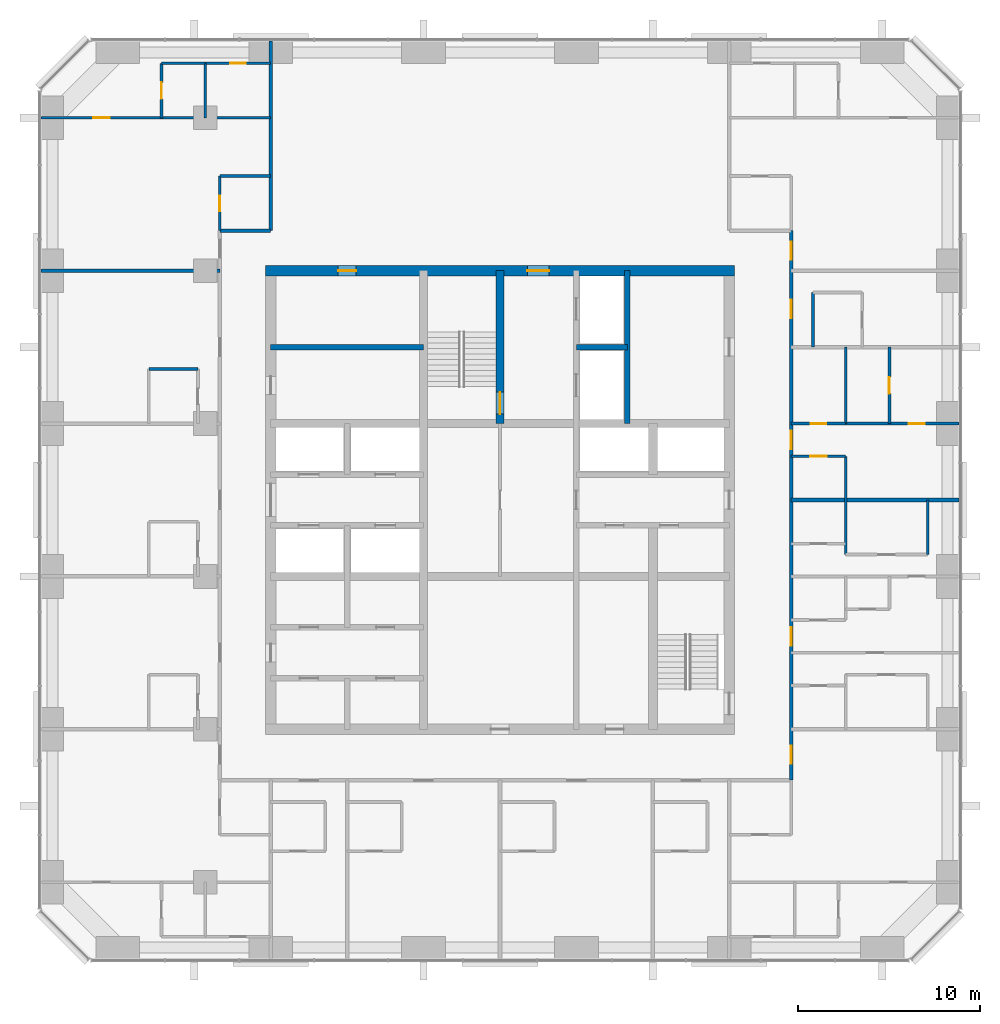
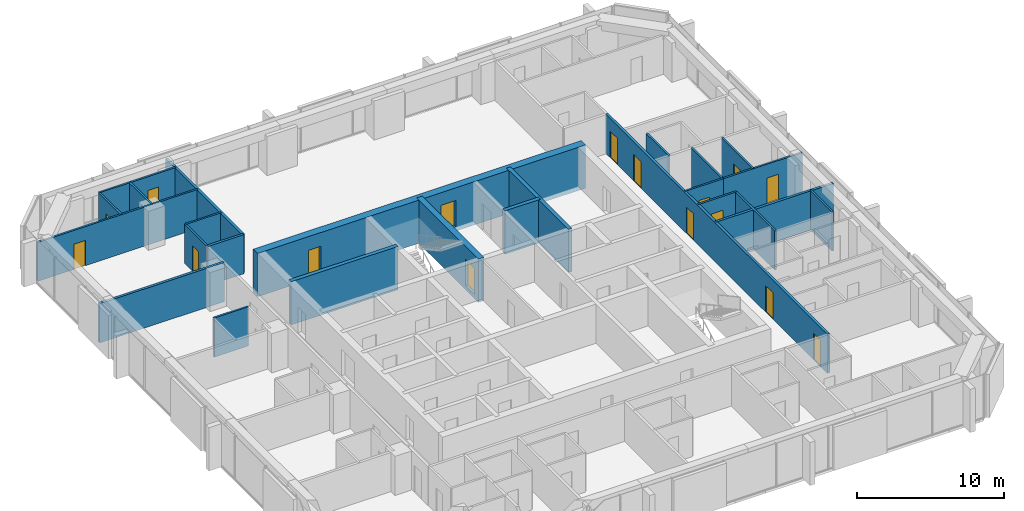
# One storey, part 11 of 13: 26 walls, 16 doors, 16 openings.
"""IFC4 building model written with IfcOpenShell, lengths in metres."""

from ifc_helpers import new_model, si_unit, direction, frame, frame_2d, origin, place, context, subcontext, project, spatial, rectangle, extrude, material, layer, layer_set, type_object, element, fill, save


model = new_model("IFC4")

# Units and contexts
model_context = context("Model", 3, precision=1e-05, world=origin(), true_north=direction((0.0, 1.0)))
body_context = subcontext(model_context, "Body", "Model", "MODEL_VIEW")
ifc_project = project(units=[si_unit("LENGTHUNIT", "METRE"), si_unit("AREAUNIT", "SQUARE_METRE"), si_unit("VOLUMEUNIT", "CUBIC_METRE"), si_unit("PLANEANGLEUNIT", "RADIAN"), si_unit("MASSUNIT", "GRAM", prefix="KILO")], contexts=[model_context])

# Site, building, storey
site_placement = place(None, origin())
site = spatial("IfcSite", under=ifc_project, at=site_placement, CompositionType="ELEMENT")
building_placement = place(site_placement, origin())
building = spatial("IfcBuilding", under=site, at=building_placement, Name="Dunama Terrace Hotel", CompositionType="ELEMENT")
storey_placement = place(building_placement, frame((0.0, 0.0, 191.39990234375)))
storey = spatial("IfcBuildingStorey", under=building, at=storey_placement, Name="L49", CompositionType="ELEMENT", Elevation=191.39990234375)

# Wall, opening, door
ifc_material_1 = material(Name="Gypsum board partition", Category="masonry")
ifc_layer_1 = layer(ifc_material_1, 0.14990234375)
ifc_layer_set_1 = layer_set([ifc_layer_1], Name="Bathroom partition 150")
wall_type_1 = type_object("IfcWallType", Name="Bathroom partition 150", PredefinedType="PARTITIONING", material=ifc_layer_set_1)
wall_1_placement = place(storey_placement, frame((14.0, 44.199951171875, 0.0), z_axis=(0.0, 0.0, 1.0), x_axis=(0.0, 1.0, 0.0)))
wall_1 = element("IfcWall", 1, at=wall_1_placement, inside=storey, type_object=wall_type_1, Name="Bathroom partition 150 L49", PredefinedType="PARTITIONING", context=body_context, shape_type="SweptSolid", body=[
    extrude(rectangle(XDim=3.0, YDim=0.14990234375, at=frame_2d((1.5, 0.0))), origin(), (0.0, 0.0, 1.0), 3.25),
])
opening_1_placement = place(wall_1_placement, frame((1.074951171875, 0.0, 0.0)))
opening_1 = element("IfcOpeningElement", 2, at=opening_1_placement, cuts=wall_1, Name="Opening L48-50-055", PredefinedType="OPENING", context=body_context, shape_type="SweptSolid", body=[
    extrude(rectangle(XDim=0.85009765625, YDim=2.10009765625, at=frame_2d((0.425048828125, 1.050048828125))), frame((0.0, 0.0849609375, 0.0), z_axis=(0.0, -1.0, 0.0), x_axis=(1.0, 0.0, 0.0)), (0.0, 0.0, 1.0), 0.169921875),
])
ifc_material_2 = material(Name="Timber door with steel frame", Category="steel")
door_type_1 = type_object("IfcDoorType", Name="Bathroom door 850", OperationType="SINGLE_SWING_LEFT", PredefinedType="DOOR", material=ifc_material_2)
door_1_placement = place(opening_1_placement, frame((0.85009765625, 0.0, 0.0), z_axis=(0.0, 0.0, 1.0), x_axis=(-1.0, 0.0, 0.0)))
door_1 = element("IfcDoor", 3, at=door_1_placement, inside=storey, type_object=door_type_1, Name="Door to powder room L48-50-055, type D2", OperationType="SINGLE_SWING_RIGHT", OverallHeight=2.10009765625, OverallWidth=0.85009765625, PredefinedType="DOOR", context=body_context, shape_type="SweptSolid", body=[
    extrude(rectangle(XDim=0.85009765625, YDim=2.10009765625, at=frame_2d((0.425048828125, 1.050048828125))), frame((0.0, 0.025146484375, 0.0), z_axis=(0.0, -1.0, 0.0), x_axis=(1.0, 0.0, 0.0)), (0.0, 0.0, 1.0), 0.050048828125),
])
fill(opening_1, door_1)

# Wall
wall_2_placement = place(storey_placement, frame((46.60009765625, 37.800048828125, 0.0), z_axis=(0.0, 0.0, 1.0), x_axis=(0.0, 1.0, 0.0)))
element("IfcWall", 4, at=wall_2_placement, inside=storey, type_object=wall_type_1, Name="Bathroom partition 150 L49", PredefinedType="PARTITIONING", context=body_context, shape_type="SweptSolid", body=[
    extrude(rectangle(XDim=3.0, YDim=0.14990234375, at=frame_2d((1.5, 0.0))), origin(), (0.0, 0.0, 1.0), 3.25),
])

# Wall, opening, door
wall_3_placement = place(storey_placement, frame((45.39990234375, 33.60009765625, 0.0), z_axis=(0.0, 0.0, 1.0), x_axis=(1.0, 0.0, 0.0)))
wall_3 = element("IfcWall", 5, at=wall_3_placement, inside=storey, type_object=wall_type_1, Name="Bathroom partition 150 L49", PredefinedType="PARTITIONING", context=body_context, shape_type="SweptSolid", body=[
    extrude(rectangle(XDim=3.0, YDim=0.14990234375, at=frame_2d((1.5, 0.0))), origin(), (0.0, 0.0, 1.0), 3.25),
])
opening_2_placement = place(wall_3_placement, frame((1.074951171875, 0.0, 0.0)))
opening_2 = element("IfcOpeningElement", 6, at=opening_2_placement, cuts=wall_3, Name="Opening L48-50-028", PredefinedType="OPENING", context=body_context, shape_type="SweptSolid", body=[
    extrude(rectangle(XDim=0.85009765625, YDim=2.10009765625, at=frame_2d((0.425048828125, 1.050048828125))), frame((0.0, 0.0849609375, 0.0), z_axis=(0.0, -1.0, 0.0), x_axis=(1.0, 0.0, 0.0)), (0.0, 0.0, 1.0), 0.169921875),
])
door_2_placement = place(opening_2_placement, origin())
door_2 = element("IfcDoor", 7, at=door_2_placement, inside=storey, type_object=door_type_1, Name="Door to diplomatic residence bathroom L48-50-028, type D2", OperationType="SINGLE_SWING_LEFT", OverallHeight=2.10009765625, OverallWidth=0.85009765625, PredefinedType="DOOR", context=body_context, shape_type="SweptSolid", body=[
    extrude(rectangle(XDim=0.85009765625, YDim=2.10009765625, at=frame_2d((0.425048828125, 1.050048828125))), frame((0.0, 0.02490234375, 0.0), z_axis=(0.0, -1.0, 0.0), x_axis=(1.0, 0.0, 0.0)), (0.0, 0.0, 1.0), 0.050048828125),
])
fill(opening_2, door_2)

# Walls
wall_4_placement = place(storey_placement, frame((10.10009765625, 36.60009765625, 0.0), z_axis=(0.0, 0.0, 1.0), x_axis=(1.0, 0.0, 0.0)))
element("IfcWall", 8, at=wall_4_placement, inside=storey, type_object=wall_type_1, Name="Bathroom partition 150 L49", PredefinedType="PARTITIONING", context=body_context, shape_type="SweptSolid", body=[
    extrude(rectangle(XDim=2.699951171875, YDim=0.14990234375, at=frame_2d((1.35009765625, 0.0))), origin(), (0.0, 0.0, 1.0), 3.25),
])
wall_5_placement = place(storey_placement, frame((14.0, 47.199951171875, 0.0), z_axis=(0.0, 0.0, 1.0), x_axis=(1.0, 0.0, 0.0)))
element("IfcWall", 9, at=wall_5_placement, inside=storey, type_object=wall_type_1, Name="Bathroom partition 150 L49", PredefinedType="PARTITIONING", context=body_context, shape_type="SweptSolid", body=[
    extrude(rectangle(XDim=2.800048828125, YDim=0.14990234375, at=frame_2d((1.39990234375, 0.0))), origin(), (0.0, 0.0, 1.0), 3.25),
])

# Wall, opening, door
wall_6_placement = place(storey_placement, frame((13.199951171875, 53.39990234375, 0.0), z_axis=(0.0, 0.0, 1.0), x_axis=(1.0, 0.0, 0.0)))
wall_6 = element("IfcWall", 10, at=wall_6_placement, inside=storey, type_object=wall_type_1, Name="Bathroom partition 150 L49", PredefinedType="PARTITIONING", context=body_context, shape_type="SweptSolid", body=[
    extrude(rectangle(XDim=3.60009765625, YDim=0.14990234375, at=frame_2d((1.800048828125, 0.0))), origin(), (0.0, 0.0, 1.0), 3.25),
])
opening_3_placement = place(wall_6_placement, frame((1.375, 0.0, 0.0)))
opening_3 = element("IfcOpeningElement", 11, at=opening_3_placement, cuts=wall_6, Name="Opening L48-50-057", PredefinedType="OPENING", context=body_context, shape_type="SweptSolid", body=[
    extrude(rectangle(XDim=0.85009765625, YDim=2.10009765625, at=frame_2d((0.425048828125, 1.050048828125))), frame((0.0, 0.0849609375, 0.0), z_axis=(0.0, -1.0, 0.0), x_axis=(1.0, 0.0, 0.0)), (0.0, 0.0, 1.0), 0.169921875),
])
door_3_placement = place(opening_3_placement, frame((0.85009765625, 0.0, 0.0), z_axis=(0.0, 0.0, 1.0), x_axis=(-1.0, 0.0, 0.0)))
door_3 = element("IfcDoor", 12, at=door_3_placement, inside=storey, type_object=door_type_1, Name="Door to en-suite bathroom L48-50-057, type D2", OperationType="SINGLE_SWING_LEFT", OverallHeight=2.10009765625, OverallWidth=0.85009765625, PredefinedType="DOOR", context=body_context, shape_type="SweptSolid", body=[
    extrude(rectangle(XDim=0.85009765625, YDim=2.10009765625, at=frame_2d((0.425048828125, 1.050048828125))), frame((0.0, 0.025146484375, 0.0), z_axis=(0.0, -1.0, 0.0), x_axis=(1.0, 0.0, 0.0)), (0.0, 0.0, 1.0), 0.050048828125),
])
fill(opening_3, door_3)

# Walls
ifc_material_3 = material(Name="Concrete C50/60", Category="concrete")
ifc_layer_2 = layer(ifc_material_3, 0.300048828125)
ifc_layer_set_2 = layer_set([ifc_layer_2], Name="Core inner wall 300")
wall_type_2 = type_object("IfcWallType", Name="Core inner wall 300", PredefinedType="SHEAR", material=ifc_layer_set_2)
for number, where, z_axis, x_axis, name in (
    (13, (36.39990234375, 33.60009765625, -0.349853515625), (0.0, 0.0, 1.0), (0.0, 1.0, 0.0), "Core inner wall 300 L49"),
    (14, (16.800048828125, 37.800048828125, -0.349853515625), (0.0, 0.0, 1.0), (1.0, 0.0, 0.0), "Core inner wall 300 L49"),
):
    element("IfcWall", number, at=place(storey_placement, frame(where, z_axis=z_axis, x_axis=x_axis)), inside=storey, type_object=wall_type_2, Name=name, PredefinedType="SHEAR", context=body_context, shape_type="SweptSolid", body=[
        extrude(rectangle(XDim=8.39990234375, YDim=0.300048828125, at=frame_2d((4.199951171875, 0.0))), origin(), (0.0, 0.0, 1.0), 3.599853515625),
    ])
wall_7_placement = place(storey_placement, frame((33.60009765625, 37.800048828125, -0.349853515625), z_axis=(0.0, 0.0, 1.0), x_axis=(1.0, 0.0, 0.0)))
element("IfcWall", 15, at=wall_7_placement, inside=storey, type_object=wall_type_2, Name="Core inner wall 300 L49", PredefinedType="SHEAR", context=body_context, shape_type="SweptSolid", body=[
    extrude(rectangle(XDim=2.7998046875, YDim=0.300048828125, at=frame_2d((1.39990234375, 0.0))), origin(), (0.0, 0.0, 1.0), 3.599853515625),
])

# Wall, opening, door
ifc_material_4 = material(Name="Concrete C50/60", Category="concrete")
ifc_layer_3 = layer(ifc_material_4, 0.449951171875)
ifc_layer_set_3 = layer_set([ifc_layer_3], Name="Core inner wall 450")
wall_type_3 = type_object("IfcWallType", Name="Core inner wall 450", PredefinedType="SHEAR", material=ifc_layer_set_3)
wall_8_placement = place(storey_placement, frame((29.39990234375, 33.60009765625, -0.349853515625), z_axis=(0.0, 0.0, 1.0), x_axis=(0.0, 1.0, 0.0)))
wall_8 = element("IfcWall", 16, at=wall_8_placement, inside=storey, type_object=wall_type_3, Name="Core inner wall 450 L49", PredefinedType="SHEAR", context=body_context, shape_type="SweptSolid", body=[
    extrude(rectangle(XDim=8.39990234375, YDim=0.449951171875, at=frame_2d((4.199951171875, 0.0))), origin(), (0.0, 0.0, 1.0), 3.599853515625),
])
opening_4_placement = place(wall_8_placement, frame((0.52490234375, 0.0, 0.35009765625)))
opening_4 = element("IfcOpeningElement", 17, at=opening_4_placement, cuts=wall_8, Name="Opening L48-50-001", PredefinedType="OPENING", context=body_context, shape_type="SweptSolid", body=[
    extrude(rectangle(XDim=1.199951171875, YDim=2.199951171875, at=frame_2d((0.60009765625, 1.10009765625))), frame((0.0, 0.23486328125, 0.0), z_axis=(0.0, -1.0, 0.0), x_axis=(1.0, 0.0, 0.0)), (0.0, 0.0, 1.0), 0.469970703125),
])
ifc_material_5 = material(Name="Timber door with steel frame", Category="steel")
door_type_2 = type_object("IfcDoorType", Name="Stair door 1200", OperationType="SINGLE_SWING_LEFT", PredefinedType="DOOR", material=ifc_material_5)
door_4_placement = place(opening_4_placement, origin())
door_4 = element("IfcDoor", 18, at=door_4_placement, inside=storey, type_object=door_type_2, Name="Stair door ST1 L48-50-001, type D5", OperationType="SINGLE_SWING_LEFT", OverallHeight=2.199951171875, OverallWidth=1.199951171875, PredefinedType="DOOR", context=body_context, shape_type="SweptSolid", body=[
    extrude(rectangle(XDim=1.199951171875, YDim=2.199951171875, at=frame_2d((0.60009765625, 1.10009765625))), frame((0.0, 0.02490234375, 0.0), z_axis=(0.0, -1.0, 0.0), x_axis=(1.0, 0.0, 0.0)), (0.0, 0.0, 1.0), 0.050048828125),
])
fill(opening_4, door_4)

# Wall, openings, doors
ifc_material_6 = material(Name="Concrete C50/60", Category="concrete")
ifc_layer_4 = layer(ifc_material_6, 0.60009765625)
ifc_layer_set_4 = layer_set([ifc_layer_4], Name="Core wall 600")
wall_type_4 = type_object("IfcWallType", Name="Core wall 600", PredefinedType="SHEAR", material=ifc_layer_set_4)
wall_9_placement = place(storey_placement, frame((42.300048828125, 42.0, -0.349853515625), z_axis=(0.0, 0.0, 1.0), x_axis=(-1.0, 0.0, 0.0)))
wall_9 = element("IfcWall", 19, at=wall_9_placement, inside=storey, type_object=wall_type_4, Name="Core wall north L49", PredefinedType="SHEAR", context=body_context, shape_type="SweptSolid", body=[
    extrude(rectangle(XDim=25.800048828125, YDim=0.60009765625, at=frame_2d((12.89990234375, 0.0))), origin(), (0.0, 0.0, 1.0), 3.599853515625),
])
opening_5_placement = place(wall_9_placement, frame((20.800048828125, 0.0, 0.35009765625)))
opening_5 = element("IfcOpeningElement", 20, at=opening_5_placement, cuts=wall_9, Name="Opening L48-50-066", PredefinedType="OPENING", context=body_context, shape_type="SweptSolid", body=[
    extrude(rectangle(XDim=1.0, YDim=2.10009765625, at=frame_2d((0.5, 1.050048828125))), frame((0.0, 0.31005859375, 0.0), z_axis=(0.0, -1.0, 0.0), x_axis=(1.0, 0.0, 0.0)), (0.0, 0.0, 1.0), 0.6201171875),
])
opening_6_placement = place(wall_9_placement, frame((10.199951171875, 0.0, 0.35009765625)))
opening_6 = element("IfcOpeningElement", 21, at=opening_6_placement, cuts=wall_9, Name="Opening L48-50-072", PredefinedType="OPENING", context=body_context, shape_type="SweptSolid", body=[
    extrude(rectangle(XDim=1.199951171875, YDim=2.199951171875, at=frame_2d((0.60009765625, 1.10009765625))), frame((0.0, 0.31005859375, 0.0), z_axis=(0.0, -1.0, 0.0), x_axis=(1.0, 0.0, 0.0)), (0.0, 0.0, 1.0), 0.6201171875),
])
ifc_material_7 = material(Name="Timber door with steel frame", Category="steel")
door_type_3 = type_object("IfcDoorType", Name="Firefighting lobby door 1200", OperationType="SINGLE_SWING_LEFT", PredefinedType="DOOR", material=ifc_material_7)
door_5_placement = place(opening_6_placement, origin())
door_5 = element("IfcDoor", 22, at=door_5_placement, inside=storey, type_object=door_type_3, Name="Door to firefighting lobby L48-50-072, type D4", OperationType="SINGLE_SWING_RIGHT", OverallHeight=2.199951171875, OverallWidth=1.199951171875, PredefinedType="DOOR", context=body_context, shape_type="SweptSolid", body=[
    extrude(rectangle(XDim=1.199951171875, YDim=2.199951171875, at=frame_2d((0.60009765625, 1.10009765625))), frame((0.0, 0.02490234375, 0.0), z_axis=(0.0, -1.0, 0.0), x_axis=(1.0, 0.0, 0.0)), (0.0, 0.0, 1.0), 0.050048828125),
])
fill(opening_6, door_5)
ifc_material_8 = material(Name="Timber door with steel frame", Category="steel")
door_type_4 = type_object("IfcDoorType", Name="Service door 1000", OperationType="SINGLE_SWING_LEFT", PredefinedType="DOOR", material=ifc_material_8)
door_6_placement = place(opening_5_placement, origin())
door_6 = element("IfcDoor", 23, at=door_6_placement, inside=storey, type_object=door_type_4, Name="Door to communications and riser room L48-50-066, type D7", OperationType="SINGLE_SWING_LEFT", OverallHeight=2.10009765625, OverallWidth=1.0, PredefinedType="DOOR", context=body_context, shape_type="SweptSolid", body=[
    extrude(rectangle(XDim=1.0, YDim=2.10009765625, at=frame_2d((0.5, 1.050048828125))), frame((0.0, 0.02490234375, 0.0), z_axis=(0.0, -1.0, 0.0), x_axis=(1.0, 0.0, 0.0)), (0.0, 0.0, 1.0), 0.050048828125),
])
fill(opening_5, door_6)

# Walls
ifc_material_9 = material(Name="Concrete blockwork", Category="masonry")
ifc_layer_5 = layer(ifc_material_9, 0.199951171875)
ifc_layer_set_5 = layer_set([ifc_layer_5], Name="Corridor partition 200")
wall_type_5 = type_object("IfcWallType", Name="Corridor partition 200", PredefinedType="PARTITIONING", material=ifc_layer_set_5)
wall_10_placement = place(storey_placement, frame((16.800048828125, 44.199951171875, 0.0), z_axis=(0.0, 0.0, 1.0), x_axis=(0.0, 1.0, 0.0)))
element("IfcWall", 24, at=wall_10_placement, inside=storey, type_object=wall_type_5, Name="Corridor partition 200 L49", PredefinedType="PARTITIONING", context=body_context, shape_type="SweptSolid", body=[
    extrude(rectangle(XDim=10.41796875, YDim=0.199951171875, at=frame_2d((5.208984375, 0.0))), origin(), (0.0, 0.0, 1.0), 3.25),
])
wall_11_placement = place(storey_placement, frame((14.0, 44.199951171875, 0.0), z_axis=(0.0, 0.0, 1.0), x_axis=(1.0, 0.0, 0.0)))
element("IfcWall", 25, at=wall_11_placement, inside=storey, type_object=wall_type_5, Name="Corridor partition 200 L49", PredefinedType="PARTITIONING", context=body_context, shape_type="SweptSolid", body=[
    extrude(rectangle(XDim=2.800048828125, YDim=0.199951171875, at=frame_2d((1.39990234375, 0.0))), origin(), (0.0, 0.0, 1.0), 3.25),
])

# Wall, openings, doors
wall_12_placement = place(storey_placement, frame((45.39990234375, 44.199951171875, 0.0), z_axis=(0.0, 0.0, 1.0), x_axis=(0.0, -1.0, 0.0)))
wall_12 = element("IfcWall", 26, at=wall_12_placement, inside=storey, type_object=wall_type_5, Name="Corridor partition 200 L49", PredefinedType="PARTITIONING", context=body_context, shape_type="SweptSolid", body=[
    extrude(rectangle(XDim=30.199951171875, YDim=0.199951171875, at=frame_2d((15.10009765625, 0.0))), origin(), (0.0, 0.0, 1.0), 3.25),
])
opening_7_placement = place(wall_12_placement, frame((21.800048828125, 0.0, 0.0)))
opening_7 = element("IfcOpeningElement", 27, at=opening_7_placement, cuts=wall_12, Name="Opening L48-50-017", PredefinedType="OPENING", context=body_context, shape_type="SweptSolid", body=[
    extrude(rectangle(XDim=1.0, YDim=2.199951171875, at=frame_2d((0.5, 1.10009765625))), frame((0.0, 0.10986328125, 0.0), z_axis=(0.0, -1.0, 0.0), x_axis=(1.0, 0.0, 0.0)), (0.0, 0.0, 1.0), 0.219970703125),
])
opening_8_placement = place(wall_12_placement, frame((11.0, 0.0, 0.0)))
opening_8 = element("IfcOpeningElement", 28, at=opening_8_placement, cuts=wall_12, Name="Opening L48-50-026", PredefinedType="OPENING", context=body_context, shape_type="SweptSolid", body=[
    extrude(rectangle(XDim=1.0, YDim=2.199951171875, at=frame_2d((0.5, 1.10009765625))), frame((0.0, 0.10986328125, 0.0), z_axis=(0.0, -1.0, 0.0), x_axis=(1.0, 0.0, 0.0)), (0.0, 0.0, 1.0), 0.219970703125),
])
opening_9_placement = place(wall_12_placement, frame((3.800048828125, 0.0, 0.0)))
opening_9 = element("IfcOpeningElement", 29, at=opening_9_placement, cuts=wall_12, Name="Opening L48-50-031", PredefinedType="OPENING", context=body_context, shape_type="SweptSolid", body=[
    extrude(rectangle(XDim=1.0, YDim=2.199951171875, at=frame_2d((0.5, 1.10009765625))), frame((0.0, 0.10986328125, 0.0), z_axis=(0.0, -1.0, 0.0), x_axis=(1.0, 0.0, 0.0)), (0.0, 0.0, 1.0), 0.219970703125),
])
opening_10_placement = place(wall_12_placement, frame((28.300048828125, 0.0, 0.0)))
opening_10 = element("IfcOpeningElement", 30, at=opening_10_placement, cuts=wall_12, Name="Opening L48-50-044", PredefinedType="OPENING", context=body_context, shape_type="SweptSolid", body=[
    extrude(rectangle(XDim=1.0, YDim=2.199951171875, at=frame_2d((0.5, 1.10009765625))), frame((0.0, 0.10986328125, 0.0), z_axis=(0.0, -1.0, 0.0), x_axis=(1.0, 0.0, 0.0)), (0.0, 0.0, 1.0), 0.219970703125),
])
opening_11_placement = place(wall_12_placement, frame((0.60009765625, 0.0, 0.0)))
opening_11 = element("IfcOpeningElement", 31, at=opening_11_placement, cuts=wall_12, Name="Opening L48-50-049", PredefinedType="OPENING", context=body_context, shape_type="SweptSolid", body=[
    extrude(rectangle(XDim=1.0, YDim=2.199951171875, at=frame_2d((0.5, 1.10009765625))), frame((0.0, 0.10986328125, 0.0), z_axis=(0.0, -1.0, 0.0), x_axis=(1.0, 0.0, 0.0)), (0.0, 0.0, 1.0), 0.219970703125),
])
ifc_material_10 = material(Name="Timber door with steel frame", Category="steel")
door_type_5 = type_object("IfcDoorType", Name="Guest room door 1000", OperationType="SINGLE_SWING_LEFT", PredefinedType="DOOR", material=ifc_material_10)
door_7_placement = place(opening_7_placement, origin())
door_7 = element("IfcDoor", 32, at=door_7_placement, inside=storey, type_object=door_type_5, Name="Door to two-bedroom diplomatic residence living room L48-50-017, type D1", OperationType="SINGLE_SWING_LEFT", OverallHeight=2.199951171875, OverallWidth=1.0, PredefinedType="DOOR", context=body_context, shape_type="SweptSolid", body=[
    extrude(rectangle(XDim=1.0, YDim=2.199951171875, at=frame_2d((0.5, 1.10009765625))), frame((0.0, 0.02490234375, 0.0), z_axis=(0.0, -1.0, 0.0), x_axis=(1.0, 0.0, 0.0)), (0.0, 0.0, 1.0), 0.050048828125),
])
fill(opening_7, door_7)
door_8_placement = place(opening_8_placement, origin())
door_8 = element("IfcDoor", 33, at=door_8_placement, inside=storey, type_object=door_type_5, Name="Door to diplomatic residence living room L48-50-026, type D1", OperationType="SINGLE_SWING_LEFT", OverallHeight=2.199951171875, OverallWidth=1.0, PredefinedType="DOOR", context=body_context, shape_type="SweptSolid", body=[
    extrude(rectangle(XDim=1.0, YDim=2.199951171875, at=frame_2d((0.5, 1.10009765625))), frame((0.0, 0.02490234375, 0.0), z_axis=(0.0, -1.0, 0.0), x_axis=(1.0, 0.0, 0.0)), (0.0, 0.0, 1.0), 0.050048828125),
])
fill(opening_8, door_8)
door_9_placement = place(opening_9_placement, origin())
door_9 = element("IfcDoor", 34, at=door_9_placement, inside=storey, type_object=door_type_5, Name="Door to club room L48-50-031, type D1", OperationType="SINGLE_SWING_LEFT", OverallHeight=2.199951171875, OverallWidth=1.0, PredefinedType="DOOR", context=body_context, shape_type="SweptSolid", body=[
    extrude(rectangle(XDim=1.0, YDim=2.199951171875, at=frame_2d((0.5, 1.10009765625))), frame((0.0, 0.02490234375, 0.0), z_axis=(0.0, -1.0, 0.0), x_axis=(1.0, 0.0, 0.0)), (0.0, 0.0, 1.0), 0.050048828125),
])
fill(opening_9, door_9)
door_10_placement = place(opening_10_placement, origin())
door_10 = element("IfcDoor", 35, at=door_10_placement, inside=storey, type_object=door_type_5, Name="Door to corner suite living room L48-50-044, type D1", OperationType="SINGLE_SWING_LEFT", OverallHeight=2.199951171875, OverallWidth=1.0, PredefinedType="DOOR", context=body_context, shape_type="SweptSolid", body=[
    extrude(rectangle(XDim=1.0, YDim=2.199951171875, at=frame_2d((0.5, 1.10009765625))), frame((0.0, 0.02490234375, 0.0), z_axis=(0.0, -1.0, 0.0), x_axis=(1.0, 0.0, 0.0)), (0.0, 0.0, 1.0), 0.050048828125),
])
fill(opening_10, door_10)
door_11_placement = place(opening_11_placement, origin())
door_11 = element("IfcDoor", 36, at=door_11_placement, inside=storey, type_object=door_type_5, Name="Door to corner suite living room L48-50-049, type D1", OperationType="SINGLE_SWING_LEFT", OverallHeight=2.199951171875, OverallWidth=1.0, PredefinedType="DOOR", context=body_context, shape_type="SweptSolid", body=[
    extrude(rectangle(XDim=1.0, YDim=2.199951171875, at=frame_2d((0.5, 1.10009765625))), frame((0.0, 0.02490234375, 0.0), z_axis=(0.0, -1.0, 0.0), x_axis=(1.0, 0.0, 0.0)), (0.0, 0.0, 1.0), 0.050048828125),
])
fill(opening_11, door_11)

# Walls
ifc_material_11 = material(Name="Concrete blockwork", Category="masonry")
ifc_layer_6 = layer(ifc_material_11, 0.199951171875)
ifc_layer_set_6 = layer_set([ifc_layer_6], Name="Party wall 200")
wall_type_6 = type_object("IfcWallType", Name="Party wall 200", PredefinedType="PARTITIONING", material=ifc_layer_set_6)
wall_13_placement = place(storey_placement, frame((45.39990234375, 29.39990234375, 0.0), z_axis=(0.0, 0.0, 1.0), x_axis=(1.0, 0.0, 0.0)))
element("IfcWall", 37, at=wall_13_placement, inside=storey, type_object=wall_type_6, Name="Party wall 200 L49", PredefinedType="PARTITIONING", context=body_context, shape_type="SweptSolid", body=[
    extrude(rectangle(XDim=9.218017578125, YDim=0.199951171875, at=frame_2d((4.60888671875, 0.0))), origin(), (0.0, 0.0, 1.0), 3.25),
])
wall_14_placement = place(storey_placement, frame((4.181884765625, 42.0, 0.0), z_axis=(0.0, 0.0, 1.0), x_axis=(1.0, 0.0, 0.0)))
element("IfcWall", 38, at=wall_14_placement, inside=storey, type_object=wall_type_6, Name="Party wall 200 L49", PredefinedType="PARTITIONING", context=body_context, shape_type="SweptSolid", body=[
    extrude(rectangle(XDim=9.818115234375, YDim=0.199951171875, at=frame_2d((4.9091796875, 0.0))), origin(), (0.0, 0.0, 1.0), 3.25),
])

# Wall, opening, door
ifc_material_12 = material(Name="Gypsum board partition", Category="masonry")
ifc_layer_7 = layer(ifc_material_12, 0.14990234375)
ifc_layer_set_7 = layer_set([ifc_layer_7], Name="Room partition 150")
wall_type_7 = type_object("IfcWallType", Name="Room partition 150", PredefinedType="PARTITIONING", material=ifc_layer_set_7)
wall_15_placement = place(storey_placement, frame((10.800048828125, 50.39990234375, 0.0), z_axis=(0.0, 0.0, 1.0), x_axis=(0.0, 1.0, 0.0)))
wall_15 = element("IfcWall", 39, at=wall_15_placement, inside=storey, type_object=wall_type_7, Name="Room partition 150 L49", PredefinedType="PARTITIONING", context=body_context, shape_type="SweptSolid", body=[
    extrude(rectangle(XDim=3.0, YDim=0.14990234375, at=frame_2d((1.5, 0.0))), origin(), (0.0, 0.0, 1.0), 3.25),
])
opening_12_placement = place(wall_15_placement, frame((1.050048828125, 0.0, 0.0)))
opening_12 = element("IfcOpeningElement", 40, at=opening_12_placement, cuts=wall_15, Name="Opening L48-50-058", PredefinedType="OPENING", context=body_context, shape_type="SweptSolid", body=[
    extrude(rectangle(XDim=0.89990234375, YDim=2.10009765625, at=frame_2d((0.449951171875, 1.050048828125))), frame((0.0, 0.0849609375, 0.0), z_axis=(0.0, -1.0, 0.0), x_axis=(1.0, 0.0, 0.0)), (0.0, 0.0, 1.0), 0.169921875),
])
ifc_material_13 = material(Name="Timber door with steel frame", Category="steel")
door_type_6 = type_object("IfcDoorType", Name="Suite internal door 900", OperationType="SINGLE_SWING_LEFT", PredefinedType="DOOR", material=ifc_material_13)
door_12_placement = place(opening_12_placement, frame((0.89990234375, 0.0, 0.0), z_axis=(0.0, 0.0, 1.0), x_axis=(-1.0, 0.0, 0.0)))
door_12 = element("IfcDoor", 41, at=door_12_placement, inside=storey, type_object=door_type_6, Name="Door to dressing room L48-50-058, type D16", OperationType="SINGLE_SWING_RIGHT", OverallHeight=2.10009765625, OverallWidth=0.89990234375, PredefinedType="DOOR", context=body_context, shape_type="SweptSolid", body=[
    extrude(rectangle(XDim=0.89990234375, YDim=2.10009765625, at=frame_2d((0.449951171875, 1.050048828125))), frame((0.0, 0.025146484375, 0.0), z_axis=(0.0, -1.0, 0.0), x_axis=(1.0, 0.0, 0.0)), (0.0, 0.0, 1.0), 0.050048828125),
])
fill(opening_12, door_12)

# Walls
wall_16_placement = place(storey_placement, frame((13.199951171875, 50.39990234375, 0.0), z_axis=(0.0, 0.0, 1.0), x_axis=(0.0, 1.0, 0.0)))
element("IfcWall", 42, at=wall_16_placement, inside=storey, type_object=wall_type_7, Name="Room partition 150 L49", PredefinedType="PARTITIONING", context=body_context, shape_type="SweptSolid", body=[
    extrude(rectangle(XDim=3.0, YDim=0.14990234375, at=frame_2d((1.5, 0.0))), origin(), (0.0, 0.0, 1.0), 3.25),
])
wall_17_placement = place(storey_placement, frame((48.39990234375, 26.39990234375, 0.0), z_axis=(0.0, 0.0, 1.0), x_axis=(0.0, 1.0, 0.0)))
element("IfcWall", 43, at=wall_17_placement, inside=storey, type_object=wall_type_7, Name="Room partition 150 L49", PredefinedType="PARTITIONING", context=body_context, shape_type="SweptSolid", body=[
    extrude(rectangle(XDim=5.400146484375, YDim=0.14990234375, at=frame_2d((2.7001953125, 0.0))), origin(), (0.0, 0.0, 1.0), 3.25),
])
wall_18_placement = place(storey_placement, frame((48.39990234375, 33.60009765625, 0.0), z_axis=(0.0, 0.0, 1.0), x_axis=(0.0, 1.0, 0.0)))
element("IfcWall", 44, at=wall_18_placement, inside=storey, type_object=wall_type_7, Name="Room partition 150 L49", PredefinedType="PARTITIONING", context=body_context, shape_type="SweptSolid", body=[
    extrude(rectangle(XDim=4.199951171875, YDim=0.14990234375, at=frame_2d((2.10009765625, 0.0))), origin(), (0.0, 0.0, 1.0), 3.25),
])

# Wall, opening, door
wall_19_placement = place(storey_placement, frame((50.800048828125, 33.60009765625, 0.0), z_axis=(0.0, 0.0, 1.0), x_axis=(0.0, 1.0, 0.0)))
wall_19 = element("IfcWall", 45, at=wall_19_placement, inside=storey, type_object=wall_type_7, Name="Room partition 150 L49", PredefinedType="PARTITIONING", context=body_context, shape_type="SweptSolid", body=[
    extrude(rectangle(XDim=4.199951171875, YDim=0.14990234375, at=frame_2d((2.10009765625, 0.0))), origin(), (0.0, 0.0, 1.0), 3.25),
])
opening_13_placement = place(wall_19_placement, frame((1.64990234375, 0.0, 0.0)))
opening_13 = element("IfcOpeningElement", 46, at=opening_13_placement, cuts=wall_19, Name="Opening L48-50-029", PredefinedType="OPENING", context=body_context, shape_type="SweptSolid", body=[
    extrude(rectangle(XDim=0.89990234375, YDim=2.10009765625, at=frame_2d((0.449951171875, 1.050048828125))), frame((0.0, 0.0849609375, 0.0), z_axis=(0.0, -1.0, 0.0), x_axis=(1.0, 0.0, 0.0)), (0.0, 0.0, 1.0), 0.169921875),
])
door_13_placement = place(opening_13_placement, origin())
door_13 = element("IfcDoor", 47, at=door_13_placement, inside=storey, type_object=door_type_6, Name="Door to walk-in wardrobe L48-50-029, type D16", OperationType="SINGLE_SWING_LEFT", OverallHeight=2.10009765625, OverallWidth=0.89990234375, PredefinedType="DOOR", context=body_context, shape_type="SweptSolid", body=[
    extrude(rectangle(XDim=0.89990234375, YDim=2.10009765625, at=frame_2d((0.449951171875, 1.050048828125))), frame((0.0, 0.02490234375, 0.0), z_axis=(0.0, -1.0, 0.0), x_axis=(1.0, 0.0, 0.0)), (0.0, 0.0, 1.0), 0.050048828125),
])
fill(opening_13, door_13)

# Wall
wall_20_placement = place(storey_placement, frame((52.89990234375, 26.39990234375, 0.0), z_axis=(0.0, 0.0, 1.0), x_axis=(0.0, 1.0, 0.0)))
element("IfcWall", 48, at=wall_20_placement, inside=storey, type_object=wall_type_7, Name="Room partition 150 L49", PredefinedType="PARTITIONING", context=body_context, shape_type="SweptSolid", body=[
    extrude(rectangle(XDim=3.0, YDim=0.14990234375, at=frame_2d((1.5, 0.0))), origin(), (0.0, 0.0, 1.0), 3.25),
])

# Wall, opening, door
wall_21_placement = place(storey_placement, frame((45.39990234375, 31.800048828125, 0.0), z_axis=(0.0, 0.0, 1.0), x_axis=(1.0, 0.0, 0.0)))
wall_21 = element("IfcWall", 49, at=wall_21_placement, inside=storey, type_object=wall_type_7, Name="Room partition 150 L49", PredefinedType="PARTITIONING", context=body_context, shape_type="SweptSolid", body=[
    extrude(rectangle(XDim=3.0, YDim=0.14990234375, at=frame_2d((1.5, 0.0))), origin(), (0.0, 0.0, 1.0), 3.25),
])
opening_14_placement = place(wall_21_placement, frame((1.050048828125, 0.0, 0.0)))
opening_14 = element("IfcOpeningElement", 50, at=opening_14_placement, cuts=wall_21, Name="Opening L48-50-027", PredefinedType="OPENING", context=body_context, shape_type="SweptSolid", body=[
    extrude(rectangle(XDim=0.89990234375, YDim=2.10009765625, at=frame_2d((0.449951171875, 1.050048828125))), frame((0.0, 0.0849609375, 0.0), z_axis=(0.0, -1.0, 0.0), x_axis=(1.0, 0.0, 0.0)), (0.0, 0.0, 1.0), 0.169921875),
])
door_14_placement = place(opening_14_placement, frame((0.89990234375, 0.0, 0.0), z_axis=(0.0, 0.0, 1.0), x_axis=(-1.0, 0.0, 0.0)))
door_14 = element("IfcDoor", 51, at=door_14_placement, inside=storey, type_object=door_type_6, Name="Door to diplomatic residence kitchen L48-50-027, type D16", OperationType="SINGLE_SWING_RIGHT", OverallHeight=2.10009765625, OverallWidth=0.89990234375, PredefinedType="DOOR", context=body_context, shape_type="SweptSolid", body=[
    extrude(rectangle(XDim=0.89990234375, YDim=2.10009765625, at=frame_2d((0.449951171875, 1.050048828125))), frame((0.0, 0.025146484375, 0.0), z_axis=(0.0, -1.0, 0.0), x_axis=(1.0, 0.0, 0.0)), (0.0, 0.0, 1.0), 0.050048828125),
])
fill(opening_14, door_14)

wall_22_placement = place(storey_placement, frame((48.39990234375, 33.60009765625, 0.0), z_axis=(0.0, 0.0, 1.0), x_axis=(1.0, 0.0, 0.0)))
wall_22 = element("IfcWall", 52, at=wall_22_placement, inside=storey, type_object=wall_type_7, Name="Room partition 150 L49", PredefinedType="PARTITIONING", context=body_context, shape_type="SweptSolid", body=[
    extrude(rectangle(XDim=6.218017578125, YDim=0.14990234375, at=frame_2d((3.10888671875, 0.0))), origin(), (0.0, 0.0, 1.0), 3.25),
])
opening_15_placement = place(wall_22_placement, frame((3.449951171875, 0.0, 0.0)))
opening_15 = element("IfcOpeningElement", 53, at=opening_15_placement, cuts=wall_22, Name="Opening L48-50-030", PredefinedType="OPENING", context=body_context, shape_type="SweptSolid", body=[
    extrude(rectangle(XDim=0.89990234375, YDim=2.10009765625, at=frame_2d((0.449951171875, 1.050048828125))), frame((0.0, 0.0849609375, 0.0), z_axis=(0.0, -1.0, 0.0), x_axis=(1.0, 0.0, 0.0)), (0.0, 0.0, 1.0), 0.169921875),
])
door_15_placement = place(opening_15_placement, origin())
door_15 = element("IfcDoor", 54, at=door_15_placement, inside=storey, type_object=door_type_6, Name="Door to diplomatic residence bedroom L48-50-030, type D16", OperationType="SINGLE_SWING_RIGHT", OverallHeight=2.10009765625, OverallWidth=0.89990234375, PredefinedType="DOOR", context=body_context, shape_type="SweptSolid", body=[
    extrude(rectangle(XDim=0.89990234375, YDim=2.10009765625, at=frame_2d((0.449951171875, 1.050048828125))), frame((0.0, 0.02490234375, 0.0), z_axis=(0.0, -1.0, 0.0), x_axis=(1.0, 0.0, 0.0)), (0.0, 0.0, 1.0), 0.050048828125),
])
fill(opening_15, door_15)

wall_23_placement = place(storey_placement, frame((4.181884765625, 50.39990234375, 0.0), z_axis=(0.0, 0.0, 1.0), x_axis=(1.0, 0.0, 0.0)))
wall_23 = element("IfcWall", 55, at=wall_23_placement, inside=storey, type_object=wall_type_7, Name="Room partition 150 L49", PredefinedType="PARTITIONING", context=body_context, shape_type="SweptSolid", body=[
    extrude(rectangle(XDim=12.6181640625, YDim=0.14990234375, at=frame_2d((6.30908203125, 0.0))), origin(), (0.0, 0.0, 1.0), 3.25),
])
opening_16_placement = place(wall_23_placement, frame((2.867919921875, 0.0, 0.0)))
opening_16 = element("IfcOpeningElement", 56, at=opening_16_placement, cuts=wall_23, Name="Opening L48-50-056", PredefinedType="OPENING", context=body_context, shape_type="SweptSolid", body=[
    extrude(rectangle(XDim=0.89990234375, YDim=2.10009765625, at=frame_2d((0.449951171875, 1.050048828125))), frame((0.0, 0.0849609375, 0.0), z_axis=(0.0, -1.0, 0.0), x_axis=(1.0, 0.0, 0.0)), (0.0, 0.0, 1.0), 0.169921875),
])
door_16_placement = place(opening_16_placement, origin())
door_16 = element("IfcDoor", 57, at=door_16_placement, inside=storey, type_object=door_type_6, Name="Door to corner suite bedroom L48-50-056, type D16", OperationType="SINGLE_SWING_LEFT", OverallHeight=2.10009765625, OverallWidth=0.89990234375, PredefinedType="DOOR", context=body_context, shape_type="SweptSolid", body=[
    extrude(rectangle(XDim=0.89990234375, YDim=2.10009765625, at=frame_2d((0.449951171875, 1.050048828125))), frame((0.0, 0.02490234375, 0.0), z_axis=(0.0, -1.0, 0.0), x_axis=(1.0, 0.0, 0.0)), (0.0, 0.0, 1.0), 0.050048828125),
])
fill(opening_16, door_16)

# Wall
wall_24_placement = place(storey_placement, frame((10.800048828125, 53.39990234375, 0.0), z_axis=(0.0, 0.0, 1.0), x_axis=(1.0, 0.0, 0.0)))
element("IfcWall", 58, at=wall_24_placement, inside=storey, type_object=wall_type_7, Name="Room partition 150 L49", PredefinedType="PARTITIONING", context=body_context, shape_type="SweptSolid", body=[
    extrude(rectangle(XDim=2.39990234375, YDim=0.14990234375, at=frame_2d((1.199951171875, 0.0))), origin(), (0.0, 0.0, 1.0), 3.25),
])

save(model, "model.ifc")
